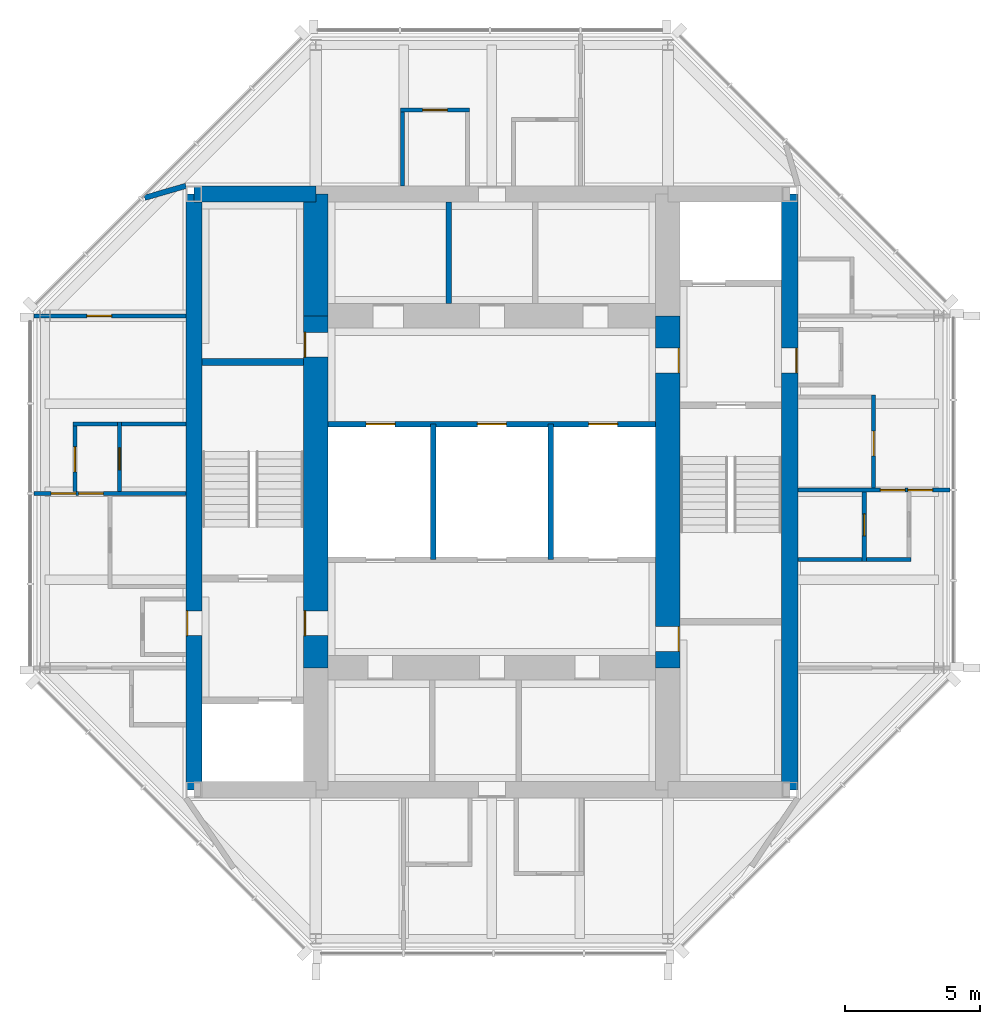
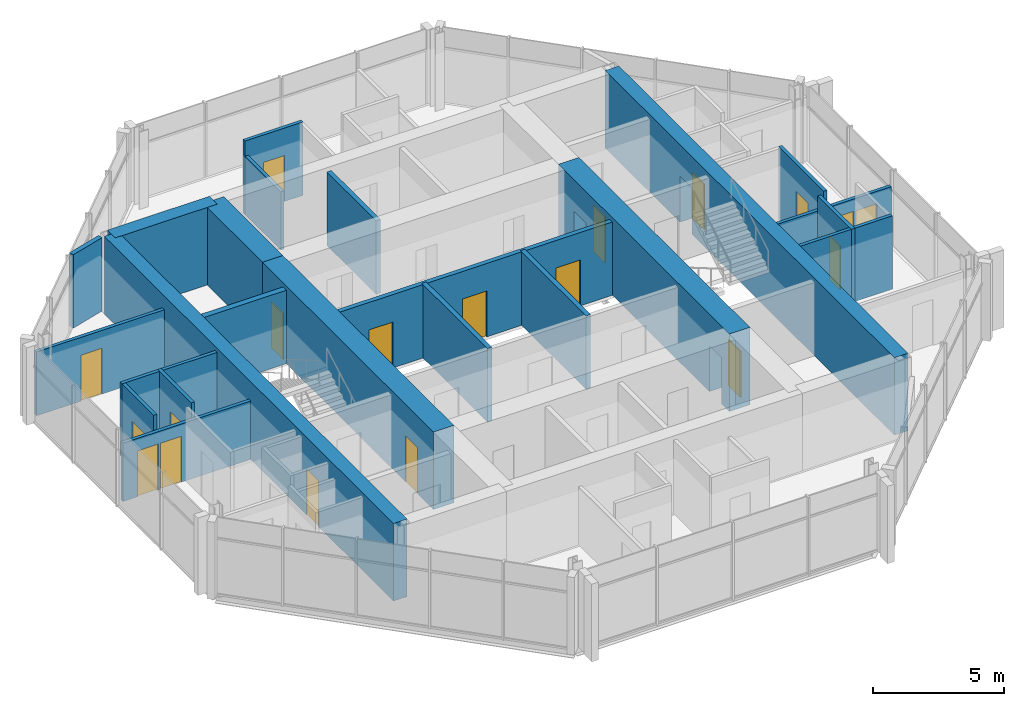
# One storey, part 6 of 9: 25 walls, 19 doors, 19 openings.
"""IFC4 building model written with IfcOpenShell, lengths in metres."""

from ifc_helpers import new_model, si_unit, direction, frame, frame_2d, origin, place, context, subcontext, project, spatial, rectangle, extrude, material, layer, layer_set, type_object, element, fill, save


model = new_model("IFC4")

# Units and contexts
model_context = context("Model", 3, precision=1e-05, world=origin(), true_north=direction((0.0, 1.0)))
body_context = subcontext(model_context, "Body", "Model", "MODEL_VIEW")
ifc_project = project(units=[si_unit("LENGTHUNIT", "METRE"), si_unit("AREAUNIT", "SQUARE_METRE"), si_unit("VOLUMEUNIT", "CUBIC_METRE"), si_unit("PLANEANGLEUNIT", "RADIAN"), si_unit("MASSUNIT", "GRAM", prefix="KILO")], contexts=[model_context])

# Site, building, storey
site_placement = place(None, origin())
site = spatial("IfcSite", under=ifc_project, at=site_placement, CompositionType="ELEMENT")
building_placement = place(site_placement, origin())
building = spatial("IfcBuilding", under=site, at=building_placement, Name="Trevanion Tower", CompositionType="ELEMENT")
storey_placement = place(building_placement, frame((0.0, 0.0, 284.800048828125)))
storey = spatial("IfcBuildingStorey", under=building, at=storey_placement, Name="L70", CompositionType="ELEMENT", Elevation=284.800048828125)

# Wall, opening, door
ifc_material_1 = material(Name="Concrete 10,000 psi", Category="concrete")
ifc_layer_1 = layer(ifc_material_1, 0.60009765625)
ifc_layer_set_1 = layer_set([ifc_layer_1], Name="CW1 core wall 600")
wall_type_1 = type_object("IfcWallType", Name="CW1 core wall 600", PredefinedType="SHEAR", material=ifc_layer_set_1)
wall_1_placement = place(storey_placement, frame((11.0, -11.0, 0.0), z_axis=(0.0, 0.0, 1.0), x_axis=(0.0, 1.0, 0.0)))
wall_1 = element("IfcWall", 1, at=wall_1_placement, inside=storey, type_object=wall_type_1, Name="CW1 CE L70", PredefinedType="SHEAR", context=body_context, shape_type="SweptSolid", body=[
    extrude(rectangle(XDim=22.0, YDim=0.60009765625, at=frame_2d((11.0, 0.0))), origin(), (0.0, 0.0, 1.0), 3.599853515625),
])
opening_1_placement = place(wall_1_placement, frame((15.392578125, 0.0, 0.0)))
opening_1 = element("IfcOpeningElement", 2, at=opening_1_placement, cuts=wall_1, Name="Opening 70-001", PredefinedType="OPENING", context=body_context, shape_type="SweptSolid", body=[
    extrude(rectangle(XDim=0.9150390625, YDim=2.134033203125, at=frame_2d((0.45751953125, 1.06689453125))), frame((0.0, 0.31005859375, 0.0), z_axis=(0.0, -1.0, 0.0), x_axis=(1.0, 0.0, 0.0)), (0.0, 0.0, 1.0), 0.6201171875),
])
ifc_material_2 = material(Name="Hollow metal, fire rated", Category="steel")
door_type_1 = type_object("IfcDoorType", Name="D3 fire lift lobby door", OperationType="SINGLE_SWING_RIGHT", PredefinedType="DOOR", material=ifc_material_2)
door_1_placement = place(opening_1_placement, origin())
door_1 = element("IfcDoor", 3, at=door_1_placement, inside=storey, type_object=door_type_1, Name="Door 70-001", OperationType="SINGLE_SWING_RIGHT", OverallHeight=2.134033203125, OverallWidth=0.9150390625, PredefinedType="DOOR", context=body_context, shape_type="SweptSolid", body=[
    extrude(rectangle(XDim=0.9150390625, YDim=2.134033203125, at=frame_2d((0.45751953125, 1.06689453125))), frame((0.0, -0.22509765625, 0.0), z_axis=(0.0, -1.0, 0.0), x_axis=(1.0, 0.0, 0.0)), (0.0, 0.0, 1.0), 0.050048828125),
])
fill(opening_1, door_1)

wall_2_placement = place(storey_placement, frame((-11.0, 11.0, 0.0), z_axis=(0.0, 0.0, 1.0), x_axis=(0.0, -1.0, 0.0)))
wall_2 = element("IfcWall", 4, at=wall_2_placement, inside=storey, type_object=wall_type_1, Name="CW1 CW L70", PredefinedType="SHEAR", context=body_context, shape_type="SweptSolid", body=[
    extrude(rectangle(XDim=22.0, YDim=0.60009765625, at=frame_2d((11.0, 0.0))), origin(), (0.0, 0.0, 1.0), 3.599853515625),
])
opening_2_placement = place(wall_2_placement, frame((15.392578125, 0.0, 0.0)))
opening_2 = element("IfcOpeningElement", 5, at=opening_2_placement, cuts=wall_2, Name="Opening 70-002", PredefinedType="OPENING", context=body_context, shape_type="SweptSolid", body=[
    extrude(rectangle(XDim=0.9150390625, YDim=2.134033203125, at=frame_2d((0.45751953125, 1.06689453125))), frame((0.0, 0.31005859375, 0.0), z_axis=(0.0, -1.0, 0.0), x_axis=(1.0, 0.0, 0.0)), (0.0, 0.0, 1.0), 0.6201171875),
])
door_2_placement = place(opening_2_placement, origin())
door_2 = element("IfcDoor", 6, at=door_2_placement, inside=storey, type_object=door_type_1, Name="Door 70-002", OperationType="SINGLE_SWING_RIGHT", OverallHeight=2.134033203125, OverallWidth=0.9150390625, PredefinedType="DOOR", context=body_context, shape_type="SweptSolid", body=[
    extrude(rectangle(XDim=0.9150390625, YDim=2.134033203125, at=frame_2d((0.45751953125, 1.06689453125))), frame((0.0, -0.22509765625, 0.0), z_axis=(0.0, -1.0, 0.0), x_axis=(1.0, 0.0, 0.0)), (0.0, 0.0, 1.0), 0.050048828125),
])
fill(opening_2, door_2)

# Wall
wall_3_placement = place(storey_placement, frame((-6.5, 11.0, 0.0), z_axis=(0.0, 0.0, 1.0), x_axis=(-1.0, 0.0, 0.0)))
element("IfcWall", 7, at=wall_3_placement, inside=storey, type_object=wall_type_1, Name="CW1 CN3 L70", PredefinedType="SHEAR", context=body_context, shape_type="SweptSolid", body=[
    extrude(rectangle(XDim=4.5, YDim=0.60009765625, at=frame_2d((2.25, 0.0))), origin(), (0.0, 0.0, 1.0), 3.599853515625),
])

# Wall, openings, doors
ifc_material_3 = material(Name="Concrete 10,000 psi", Category="concrete")
ifc_layer_2 = layer(ifc_material_3, 0.89990234375)
ifc_layer_set_2 = layer_set([ifc_layer_2], Name="CW2 core wall 900")
wall_type_2 = type_object("IfcWallType", Name="CW2 core wall 900", PredefinedType="SHEAR", material=ifc_layer_set_2)
wall_4_placement = place(storey_placement, frame((6.5, -6.5, 0.0), z_axis=(0.0, 0.0, 1.0), x_axis=(0.0, 1.0, 0.0)))
wall_4 = element("IfcWall", 8, at=wall_4_placement, inside=storey, type_object=wall_type_2, Name="CW2 RE2 L70", PredefinedType="SHEAR", context=body_context, shape_type="SweptSolid", body=[
    extrude(rectangle(XDim=13.0, YDim=0.89990234375, at=frame_2d((6.5, 0.0))), origin(), (0.0, 0.0, 1.0), 3.599853515625),
])
opening_3_placement = place(wall_4_placement, frame((10.892578125, 0.0, 0.0)))
opening_3 = element("IfcOpeningElement", 9, at=opening_3_placement, cuts=wall_4, Name="Opening 70-003", PredefinedType="OPENING", context=body_context, shape_type="SweptSolid", body=[
    extrude(rectangle(XDim=0.9150390625, YDim=2.134033203125, at=frame_2d((0.45751953125, 1.06689453125))), frame((0.0, 0.4599609375, 0.0), z_axis=(0.0, -1.0, 0.0), x_axis=(1.0, 0.0, 0.0)), (0.0, 0.0, 1.0), 0.919921875),
])
opening_4_placement = place(wall_4_placement, frame((0.610107421875, 0.0, 0.0)))
opening_4 = element("IfcOpeningElement", 10, at=opening_4_placement, cuts=wall_4, Name="Opening 70-009", PredefinedType="OPENING", context=body_context, shape_type="SweptSolid", body=[
    extrude(rectangle(XDim=0.9150390625, YDim=2.134033203125, at=frame_2d((0.45751953125, 1.06689453125))), frame((0.0, 0.4599609375, 0.0), z_axis=(0.0, -1.0, 0.0), x_axis=(1.0, 0.0, 0.0)), (0.0, 0.0, 1.0), 0.919921875),
])
door_3_placement = place(opening_3_placement, origin())
door_3 = element("IfcDoor", 11, at=door_3_placement, inside=storey, type_object=door_type_1, Name="Door 70-003", OperationType="SINGLE_SWING_RIGHT", OverallHeight=2.134033203125, OverallWidth=0.9150390625, PredefinedType="DOOR", context=body_context, shape_type="SweptSolid", body=[
    extrude(rectangle(XDim=0.9150390625, YDim=2.134033203125, at=frame_2d((0.45751953125, 1.06689453125))), frame((0.0, -0.375, 0.0), z_axis=(0.0, -1.0, 0.0), x_axis=(1.0, 0.0, 0.0)), (0.0, 0.0, 1.0), 0.050048828125),
])
fill(opening_3, door_3)
ifc_material_4 = material(Name="Hollow metal, fire rated", Category="steel")
door_type_2 = type_object("IfcDoorType", Name="D5 service room door", OperationType="SINGLE_SWING_RIGHT", PredefinedType="DOOR", material=ifc_material_4)
door_4_placement = place(opening_4_placement, origin())
door_4 = element("IfcDoor", 12, at=door_4_placement, inside=storey, type_object=door_type_2, Name="Door 70-009", OperationType="SINGLE_SWING_RIGHT", OverallHeight=2.134033203125, OverallWidth=0.9150390625, PredefinedType="DOOR", context=body_context, shape_type="SweptSolid", body=[
    extrude(rectangle(XDim=0.9150390625, YDim=2.134033203125, at=frame_2d((0.45751953125, 1.06689453125))), frame((0.0, -0.375, 0.0), z_axis=(0.0, -1.0, 0.0), x_axis=(1.0, 0.0, 0.0)), (0.0, 0.0, 1.0), 0.050048828125),
])
fill(opening_4, door_4)

# Wall
wall_5_placement = place(storey_placement, frame((-6.5, 11.0, 0.0), z_axis=(0.0, 0.0, 1.0), x_axis=(0.0, -1.0, 0.0)))
element("IfcWall", 13, at=wall_5_placement, inside=storey, type_object=wall_type_2, Name="CW2 RW1 L70", PredefinedType="SHEAR", context=body_context, shape_type="SweptSolid", body=[
    extrude(rectangle(XDim=4.5, YDim=0.89990234375, at=frame_2d((2.25, 0.0))), origin(), (0.0, 0.0, 1.0), 3.599853515625),
])

# Wall, openings, doors
wall_6_placement = place(storey_placement, frame((-6.5, 6.5, 0.0), z_axis=(0.0, 0.0, 1.0), x_axis=(0.0, -1.0, 0.0)))
wall_6 = element("IfcWall", 14, at=wall_6_placement, inside=storey, type_object=wall_type_2, Name="CW2 RW2 L70", PredefinedType="SHEAR", context=body_context, shape_type="SweptSolid", body=[
    extrude(rectangle(XDim=13.0, YDim=0.89990234375, at=frame_2d((6.5, 0.0))), origin(), (0.0, 0.0, 1.0), 3.599853515625),
])
opening_5_placement = place(wall_6_placement, frame((10.892578125, 0.0, 0.0)))
opening_5 = element("IfcOpeningElement", 15, at=opening_5_placement, cuts=wall_6, Name="Opening 70-004", PredefinedType="OPENING", context=body_context, shape_type="SweptSolid", body=[
    extrude(rectangle(XDim=0.9150390625, YDim=2.134033203125, at=frame_2d((0.45751953125, 1.06689453125))), frame((0.0, 0.4599609375, 0.0), z_axis=(0.0, -1.0, 0.0), x_axis=(1.0, 0.0, 0.0)), (0.0, 0.0, 1.0), 0.919921875),
])
opening_6_placement = place(wall_6_placement, frame((0.610107421875, 0.0, 0.0)))
opening_6 = element("IfcOpeningElement", 16, at=opening_6_placement, cuts=wall_6, Name="Opening 70-010", PredefinedType="OPENING", context=body_context, shape_type="SweptSolid", body=[
    extrude(rectangle(XDim=0.9150390625, YDim=2.134033203125, at=frame_2d((0.45751953125, 1.06689453125))), frame((0.0, 0.4599609375, 0.0), z_axis=(0.0, -1.0, 0.0), x_axis=(1.0, 0.0, 0.0)), (0.0, 0.0, 1.0), 0.919921875),
])
door_5_placement = place(opening_5_placement, origin())
door_5 = element("IfcDoor", 17, at=door_5_placement, inside=storey, type_object=door_type_1, Name="Door 70-004", OperationType="SINGLE_SWING_RIGHT", OverallHeight=2.134033203125, OverallWidth=0.9150390625, PredefinedType="DOOR", context=body_context, shape_type="SweptSolid", body=[
    extrude(rectangle(XDim=0.9150390625, YDim=2.134033203125, at=frame_2d((0.45751953125, 1.06689453125))), frame((0.0, -0.375, 0.0), z_axis=(0.0, -1.0, 0.0), x_axis=(1.0, 0.0, 0.0)), (0.0, 0.0, 1.0), 0.050048828125),
])
fill(opening_5, door_5)
door_6_placement = place(opening_6_placement, origin())
door_6 = element("IfcDoor", 18, at=door_6_placement, inside=storey, type_object=door_type_2, Name="Door 70-010", OperationType="SINGLE_SWING_RIGHT", OverallHeight=2.134033203125, OverallWidth=0.9150390625, PredefinedType="DOOR", context=body_context, shape_type="SweptSolid", body=[
    extrude(rectangle(XDim=0.9150390625, YDim=2.134033203125, at=frame_2d((0.45751953125, 1.06689453125))), frame((0.0, -0.375, 0.0), z_axis=(0.0, -1.0, 0.0), x_axis=(1.0, 0.0, 0.0)), (0.0, 0.0, 1.0), 0.050048828125),
])
fill(opening_6, door_6)

ifc_material_5 = material(Name="Gypsum board on steel studs", Category="steel")
ifc_layer_3 = layer(ifc_material_5, 0.14990234375)
ifc_layer_set_3 = layer_set([ifc_layer_3], Name="PT1 partition 150")
wall_type_3 = type_object("IfcWallType", Name="PT1 partition 150", PredefinedType="PARTITIONING", material=ifc_layer_set_3)
wall_7_placement = place(storey_placement, frame((11.300048828125, 0.06494140625, 0.0), z_axis=(0.0, 0.0, 1.0), x_axis=(1.0, 0.0, 0.0)))
wall_7 = element("IfcWall", 19, at=wall_7_placement, inside=storey, type_object=wall_type_3, Name="PT1 L70 REC1", PredefinedType="PARTITIONING", context=body_context, shape_type="SweptSolid", body=[
    extrude(rectangle(XDim=5.614990234375, YDim=0.14990234375, at=frame_2d((2.8076171875, 0.0))), origin(), (0.0, 0.0, 1.0), 2.708984375),
])
opening_7_placement = place(wall_7_placement, frame((3.04248046875, 0.0, 0.0)))
opening_7 = element("IfcOpeningElement", 20, at=opening_7_placement, cuts=wall_7, Name="Opening 70-029", PredefinedType="OPENING", context=body_context, shape_type="SweptSolid", body=[
    extrude(rectangle(XDim=0.9150390625, YDim=2.134033203125, at=frame_2d((0.45751953125, 1.06689453125))), frame((0.0, 0.0849609375, 0.0), z_axis=(0.0, -1.0, 0.0), x_axis=(1.0, 0.0, 0.0)), (0.0, 0.0, 1.0), 0.169921875),
])
opening_8_placement = place(wall_7_placement, frame((4.0576171875, 0.0, 0.0)))
opening_8 = element("IfcOpeningElement", 21, at=opening_8_placement, cuts=wall_7, Name="Opening 70-032", PredefinedType="OPENING", context=body_context, shape_type="SweptSolid", body=[
    extrude(rectangle(XDim=0.9150390625, YDim=2.134033203125, at=frame_2d((0.45751953125, 1.06689453125))), frame((0.0, 0.0849609375, 0.0), z_axis=(0.0, -1.0, 0.0), x_axis=(1.0, 0.0, 0.0)), (0.0, 0.0, 1.0), 0.169921875),
])
ifc_material_6 = material(Name="Timber veneer, solid core", Category="wood")
door_type_3 = type_object("IfcDoorType", Name="D1 office and meeting room door", OperationType="SINGLE_SWING_LEFT", PredefinedType="DOOR", material=ifc_material_6)
door_7_placement = place(opening_7_placement, origin())
door_7 = element("IfcDoor", 22, at=door_7_placement, inside=storey, type_object=door_type_3, Name="Door 70-029", OperationType="SINGLE_SWING_LEFT", OverallHeight=2.134033203125, OverallWidth=0.9150390625, PredefinedType="DOOR", context=body_context, shape_type="SweptSolid", body=[
    extrude(rectangle(XDim=0.9150390625, YDim=2.134033203125, at=frame_2d((0.45751953125, 1.06689453125))), frame((0.0, 0.02490234375, 0.0), z_axis=(0.0, -1.0, 0.0), x_axis=(1.0, 0.0, 0.0)), (0.0, 0.0, 1.0), 0.050048828125),
])
fill(opening_7, door_7)
door_8_placement = place(opening_8_placement, origin())
door_8 = element("IfcDoor", 23, at=door_8_placement, inside=storey, type_object=door_type_3, Name="Door 70-032", OperationType="SINGLE_SWING_LEFT", OverallHeight=2.134033203125, OverallWidth=0.9150390625, PredefinedType="DOOR", context=body_context, shape_type="SweptSolid", body=[
    extrude(rectangle(XDim=0.9150390625, YDim=2.134033203125, at=frame_2d((0.45751953125, 1.06689453125))), frame((0.0, 0.02490234375, 0.0), z_axis=(0.0, -1.0, 0.0), x_axis=(1.0, 0.0, 0.0)), (0.0, 0.0, 1.0), 0.050048828125),
])
fill(opening_8, door_8)

# Wall, opening, door
wall_8_placement = place(storey_placement, frame((14.10009765625, 0.139892578125, 0.0), z_axis=(0.0, 0.0, 1.0), x_axis=(0.0, 1.0, 0.0)))
wall_8 = element("IfcWall", 24, at=wall_8_placement, inside=storey, type_object=wall_type_3, Name="PT1 L70 REKF", PredefinedType="PARTITIONING", context=body_context, shape_type="SweptSolid", body=[
    extrude(rectangle(XDim=3.43505859375, YDim=0.14990234375, at=frame_2d((1.717529296875, 0.0))), origin(), (0.0, 0.0, 1.0), 3.409912109375),
])
opening_9_placement = place(wall_8_placement, frame((1.18505859375, 0.0, 0.0)))
opening_9 = element("IfcOpeningElement", 25, at=opening_9_placement, cuts=wall_8, Name="Opening 70-026", PredefinedType="OPENING", context=body_context, shape_type="SweptSolid", body=[
    extrude(rectangle(XDim=0.9150390625, YDim=2.134033203125, at=frame_2d((0.45751953125, 1.06689453125))), frame((0.0, 0.0849609375, 0.0), z_axis=(0.0, -1.0, 0.0), x_axis=(1.0, 0.0, 0.0)), (0.0, 0.0, 1.0), 0.169921875),
])
door_9_placement = place(opening_9_placement, origin())
door_9 = element("IfcDoor", 26, at=door_9_placement, inside=storey, type_object=door_type_3, Name="Door 70-026", OperationType="SINGLE_SWING_LEFT", OverallHeight=2.134033203125, OverallWidth=0.9150390625, PredefinedType="DOOR", context=body_context, shape_type="SweptSolid", body=[
    extrude(rectangle(XDim=0.9150390625, YDim=2.134033203125, at=frame_2d((0.45751953125, 1.06689453125))), frame((0.0, 0.02490234375, 0.0), z_axis=(0.0, -1.0, 0.0), x_axis=(1.0, 0.0, 0.0)), (0.0, 0.0, 1.0), 0.050048828125),
])
fill(opening_9, door_9)

wall_9_placement = place(storey_placement, frame((13.75, -2.574951171875, 0.0), z_axis=(0.0, 0.0, 1.0), x_axis=(0.0, 1.0, 0.0)))
wall_9 = element("IfcWall", 27, at=wall_9_placement, inside=storey, type_object=wall_type_3, Name="PT1 L70 RETF", PredefinedType="PARTITIONING", context=body_context, shape_type="SweptSolid", body=[
    extrude(rectangle(XDim=2.56494140625, YDim=0.14990234375, at=frame_2d((1.282470703125, 0.0))), origin(), (0.0, 0.0, 1.0), 3.409912109375),
])
opening_10_placement = place(wall_9_placement, frame((0.950927734375, 0.0, 0.0)))
opening_10 = element("IfcOpeningElement", 28, at=opening_10_placement, cuts=wall_9, Name="Opening 70-028", PredefinedType="OPENING", context=body_context, shape_type="SweptSolid", body=[
    extrude(rectangle(XDim=0.81298828125, YDim=2.031982421875, at=frame_2d((0.406494140625, 1.01611328125))), frame((0.0, 0.0849609375, 0.0), z_axis=(0.0, -1.0, 0.0), x_axis=(1.0, 0.0, 0.0)), (0.0, 0.0, 1.0), 0.169921875),
])
ifc_material_7 = material(Name="Timber veneer", Category="wood")
door_type_4 = type_object("IfcDoorType", Name="D14 residence bathroom door", OperationType="SINGLE_SWING_LEFT", PredefinedType="DOOR", material=ifc_material_7)
door_10_placement = place(opening_10_placement, origin())
door_10 = element("IfcDoor", 29, at=door_10_placement, inside=storey, type_object=door_type_4, Name="Door 70-028", OperationType="SINGLE_SWING_LEFT", OverallHeight=2.031982421875, OverallWidth=0.81298828125, PredefinedType="DOOR", context=body_context, shape_type="SweptSolid", body=[
    extrude(rectangle(XDim=0.81298828125, YDim=2.031982421875, at=frame_2d((0.406494140625, 1.01611328125))), frame((0.0, 0.02490234375, 0.0), z_axis=(0.0, -1.0, 0.0), x_axis=(1.0, 0.0, 0.0)), (0.0, 0.0, 1.0), 0.050048828125),
])
fill(opening_10, door_10)

# Walls
wall_10_placement = place(storey_placement, frame((11.300048828125, -2.5, 0.0), z_axis=(0.0, 0.0, 1.0), x_axis=(1.0, 0.0, 0.0)))
element("IfcWall", 30, at=wall_10_placement, inside=storey, type_object=wall_type_3, Name="PT1 L70 RETA", PredefinedType="PARTITIONING", context=body_context, shape_type="SweptSolid", body=[
    extrude(rectangle(XDim=2.375, YDim=0.14990234375, at=frame_2d((1.1875, 0.0))), origin(), (0.0, 0.0, 1.0), 3.409912109375),
])
wall_11_placement = place(storey_placement, frame((13.824951171875, -2.5, 0.0), z_axis=(0.0, 0.0, 1.0), x_axis=(1.0, 0.0, 0.0)))
element("IfcWall", 31, at=wall_11_placement, inside=storey, type_object=wall_type_3, Name="PT1 L70 REHY", PredefinedType="PARTITIONING", context=body_context, shape_type="SweptSolid", body=[
    extrude(rectangle(XDim=1.650146484375, YDim=0.14990234375, at=frame_2d((0.8251953125, 0.0))), origin(), (0.0, 0.0, 1.0), 3.409912109375),
])

# Wall, opening, door
wall_12_placement = place(storey_placement, frame((-0.824951171875, 14.10009765625, 0.0), z_axis=(0.0, 0.0, 1.0), x_axis=(-1.0, 0.0, 0.0)))
wall_12 = element("IfcWall", 32, at=wall_12_placement, inside=storey, type_object=wall_type_3, Name="PT1 L70 RNKF", PredefinedType="PARTITIONING", context=body_context, shape_type="SweptSolid", body=[
    extrude(rectangle(XDim=2.550048828125, YDim=0.14990234375, at=frame_2d((1.27490234375, 0.0))), origin(), (0.0, 0.0, 1.0), 3.409912109375),
])
opening_11_placement = place(wall_12_placement, frame((0.8173828125, 0.0, 0.0)))
opening_11 = element("IfcOpeningElement", 33, at=opening_11_placement, cuts=wall_12, Name="Opening 70-034", PredefinedType="OPENING", context=body_context, shape_type="SweptSolid", body=[
    extrude(rectangle(XDim=0.9150390625, YDim=2.134033203125, at=frame_2d((0.45751953125, 1.06689453125))), frame((0.0, 0.0849609375, 0.0), z_axis=(0.0, -1.0, 0.0), x_axis=(1.0, 0.0, 0.0)), (0.0, 0.0, 1.0), 0.169921875),
])
door_11_placement = place(opening_11_placement, origin())
door_11 = element("IfcDoor", 34, at=door_11_placement, inside=storey, type_object=door_type_3, Name="Door 70-034", OperationType="SINGLE_SWING_LEFT", OverallHeight=2.134033203125, OverallWidth=0.9150390625, PredefinedType="DOOR", context=body_context, shape_type="SweptSolid", body=[
    extrude(rectangle(XDim=0.9150390625, YDim=2.134033203125, at=frame_2d((0.45751953125, 1.06689453125))), frame((0.0, 0.02490234375, 0.0), z_axis=(0.0, -1.0, 0.0), x_axis=(1.0, 0.0, 0.0)), (0.0, 0.0, 1.0), 0.050048828125),
])
fill(opening_11, door_11)

# Wall
wall_13_placement = place(storey_placement, frame((-3.300048828125, 11.300048828125, 0.0), z_axis=(0.0, 0.0, 1.0), x_axis=(0.0, 1.0, 0.0)))
element("IfcWall", 35, at=wall_13_placement, inside=storey, type_object=wall_type_3, Name="PT1 L70 RNKB", PredefinedType="PARTITIONING", context=body_context, shape_type="SweptSolid", body=[
    extrude(rectangle(XDim=2.724853515625, YDim=0.14990234375, at=frame_2d((1.3623046875, 0.0))), origin(), (0.0, 0.0, 1.0), 2.708984375),
])

# Wall, opening, door
wall_14_placement = place(storey_placement, frame((-11.300048828125, 6.5, 0.0), z_axis=(0.0, 0.0, 1.0), x_axis=(-1.0, 0.0, 0.0)))
wall_14 = element("IfcWall", 36, at=wall_14_placement, inside=storey, type_object=wall_type_3, Name="PT1 L70 RWC0", PredefinedType="PARTITIONING", context=body_context, shape_type="SweptSolid", body=[
    extrude(rectangle(XDim=5.614990234375, YDim=0.14990234375, at=frame_2d((2.8076171875, 0.0))), origin(), (0.0, 0.0, 1.0), 2.965576171875),
])
opening_12_placement = place(wall_14_placement, frame((2.742431640625, 0.0, 0.0)))
opening_12 = element("IfcOpeningElement", 37, at=opening_12_placement, cuts=wall_14, Name="Opening 70-043", PredefinedType="OPENING", context=body_context, shape_type="SweptSolid", body=[
    extrude(rectangle(XDim=0.9150390625, YDim=2.134033203125, at=frame_2d((0.45751953125, 1.06689453125))), frame((0.0, 0.0849609375, 0.0), z_axis=(0.0, -1.0, 0.0), x_axis=(1.0, 0.0, 0.0)), (0.0, 0.0, 1.0), 0.169921875),
])
door_12_placement = place(opening_12_placement, origin())
door_12 = element("IfcDoor", 38, at=door_12_placement, inside=storey, type_object=door_type_3, Name="Door 70-043", OperationType="SINGLE_SWING_LEFT", OverallHeight=2.134033203125, OverallWidth=0.9150390625, PredefinedType="DOOR", context=body_context, shape_type="SweptSolid", body=[
    extrude(rectangle(XDim=0.9150390625, YDim=2.134033203125, at=frame_2d((0.45751953125, 1.06689453125))), frame((0.0, 0.02490234375, 0.0), z_axis=(0.0, -1.0, 0.0), x_axis=(1.0, 0.0, 0.0)), (0.0, 0.0, 1.0), 0.050048828125),
])
fill(opening_12, door_12)

# Wall, openings, doors
wall_15_placement = place(storey_placement, frame((-11.300048828125, -0.06494140625, 0.0), z_axis=(0.0, 0.0, 1.0), x_axis=(-1.0, 0.0, 0.0)))
wall_15 = element("IfcWall", 39, at=wall_15_placement, inside=storey, type_object=wall_type_3, Name="PT1 L70 RWC1", PredefinedType="PARTITIONING", context=body_context, shape_type="SweptSolid", body=[
    extrude(rectangle(XDim=5.614990234375, YDim=0.14990234375, at=frame_2d((2.8076171875, 0.0))), origin(), (0.0, 0.0, 1.0), 2.708984375),
])
opening_13_placement = place(wall_15_placement, frame((3.04248046875, 0.0, 0.0)))
opening_13 = element("IfcOpeningElement", 40, at=opening_13_placement, cuts=wall_15, Name="Opening 70-041", PredefinedType="OPENING", context=body_context, shape_type="SweptSolid", body=[
    extrude(rectangle(XDim=0.9150390625, YDim=2.134033203125, at=frame_2d((0.45751953125, 1.06689453125))), frame((0.0, 0.0849609375, 0.0), z_axis=(0.0, -1.0, 0.0), x_axis=(1.0, 0.0, 0.0)), (0.0, 0.0, 1.0), 0.169921875),
])
opening_14_placement = place(wall_15_placement, frame((4.0576171875, 0.0, 0.0)))
opening_14 = element("IfcOpeningElement", 41, at=opening_14_placement, cuts=wall_15, Name="Opening 70-044", PredefinedType="OPENING", context=body_context, shape_type="SweptSolid", body=[
    extrude(rectangle(XDim=0.9150390625, YDim=2.134033203125, at=frame_2d((0.45751953125, 1.06689453125))), frame((0.0, 0.0849609375, 0.0), z_axis=(0.0, -1.0, 0.0), x_axis=(1.0, 0.0, 0.0)), (0.0, 0.0, 1.0), 0.169921875),
])
door_13_placement = place(opening_13_placement, origin())
door_13 = element("IfcDoor", 42, at=door_13_placement, inside=storey, type_object=door_type_3, Name="Door 70-041", OperationType="SINGLE_SWING_LEFT", OverallHeight=2.134033203125, OverallWidth=0.9150390625, PredefinedType="DOOR", context=body_context, shape_type="SweptSolid", body=[
    extrude(rectangle(XDim=0.9150390625, YDim=2.134033203125, at=frame_2d((0.45751953125, 1.06689453125))), frame((0.0, 0.02490234375, 0.0), z_axis=(0.0, -1.0, 0.0), x_axis=(1.0, 0.0, 0.0)), (0.0, 0.0, 1.0), 0.050048828125),
])
fill(opening_13, door_13)
door_14_placement = place(opening_14_placement, origin())
door_14 = element("IfcDoor", 43, at=door_14_placement, inside=storey, type_object=door_type_3, Name="Door 70-044", OperationType="SINGLE_SWING_LEFT", OverallHeight=2.134033203125, OverallWidth=0.9150390625, PredefinedType="DOOR", context=body_context, shape_type="SweptSolid", body=[
    extrude(rectangle(XDim=0.9150390625, YDim=2.134033203125, at=frame_2d((0.45751953125, 1.06689453125))), frame((0.0, 0.02490234375, 0.0), z_axis=(0.0, -1.0, 0.0), x_axis=(1.0, 0.0, 0.0)), (0.0, 0.0, 1.0), 0.050048828125),
])
fill(opening_14, door_14)

# Wall, opening, door
wall_16_placement = place(storey_placement, frame((-13.75, 2.574951171875, 0.0), z_axis=(0.0, 0.0, 1.0), x_axis=(0.0, -1.0, 0.0)))
wall_16 = element("IfcWall", 44, at=wall_16_placement, inside=storey, type_object=wall_type_3, Name="PT1 L70 RWTF", PredefinedType="PARTITIONING", context=body_context, shape_type="SweptSolid", body=[
    extrude(rectangle(XDim=2.56494140625, YDim=0.14990234375, at=frame_2d((1.282470703125, 0.0))), origin(), (0.0, 0.0, 1.0), 3.409912109375),
])
opening_15_placement = place(wall_16_placement, frame((0.950927734375, 0.0, 0.0)))
opening_15 = element("IfcOpeningElement", 45, at=opening_15_placement, cuts=wall_16, Name="Opening 70-040", PredefinedType="OPENING", context=body_context, shape_type="SweptSolid", body=[
    extrude(rectangle(XDim=0.81298828125, YDim=2.031982421875, at=frame_2d((0.406494140625, 1.01611328125))), frame((0.0, 0.0849609375, 0.0), z_axis=(0.0, -1.0, 0.0), x_axis=(1.0, 0.0, 0.0)), (0.0, 0.0, 1.0), 0.169921875),
])
door_15_placement = place(opening_15_placement, origin())
door_15 = element("IfcDoor", 46, at=door_15_placement, inside=storey, type_object=door_type_4, Name="Door 70-040", OperationType="SINGLE_SWING_LEFT", OverallHeight=2.031982421875, OverallWidth=0.81298828125, PredefinedType="DOOR", context=body_context, shape_type="SweptSolid", body=[
    extrude(rectangle(XDim=0.81298828125, YDim=2.031982421875, at=frame_2d((0.406494140625, 1.01611328125))), frame((0.0, 0.02490234375, 0.0), z_axis=(0.0, -1.0, 0.0), x_axis=(1.0, 0.0, 0.0)), (0.0, 0.0, 1.0), 0.050048828125),
])
fill(opening_15, door_15)

# Wall
wall_17_placement = place(storey_placement, frame((-11.300048828125, 2.5, 0.0), z_axis=(0.0, 0.0, 1.0), x_axis=(-1.0, 0.0, 0.0)))
element("IfcWall", 47, at=wall_17_placement, inside=storey, type_object=wall_type_3, Name="PT1 L70 RWTA", PredefinedType="PARTITIONING", context=body_context, shape_type="SweptSolid", body=[
    extrude(rectangle(XDim=2.375, YDim=0.14990234375, at=frame_2d((1.1875, 0.0))), origin(), (0.0, 0.0, 1.0), 3.409912109375),
])

# Wall, opening, door
wall_18_placement = place(storey_placement, frame((-15.39990234375, 0.010009765625, 0.0), z_axis=(0.0, 0.0, 1.0), x_axis=(0.0, 1.0, 0.0)))
wall_18 = element("IfcWall", 48, at=wall_18_placement, inside=storey, type_object=wall_type_3, Name="PT1 L70 RWHX", PredefinedType="PARTITIONING", context=body_context, shape_type="SweptSolid", body=[
    extrude(rectangle(XDim=2.56494140625, YDim=0.14990234375, at=frame_2d((1.282470703125, 0.0))), origin(), (0.0, 0.0, 1.0), 3.409912109375),
])
opening_16_placement = place(wall_18_placement, frame((0.732421875, 0.0, 0.0)))
opening_16 = element("IfcOpeningElement", 49, at=opening_16_placement, cuts=wall_18, Name="Opening 70-042", PredefinedType="OPENING", context=body_context, shape_type="SweptSolid", body=[
    extrude(rectangle(XDim=0.9150390625, YDim=2.134033203125, at=frame_2d((0.45751953125, 1.06689453125))), frame((0.0, 0.0849609375, 0.0), z_axis=(0.0, -1.0, 0.0), x_axis=(1.0, 0.0, 0.0)), (0.0, 0.0, 1.0), 0.169921875),
])
door_16_placement = place(opening_16_placement, origin())
door_16 = element("IfcDoor", 50, at=door_16_placement, inside=storey, type_object=door_type_3, Name="Door 70-042", OperationType="SINGLE_SWING_LEFT", OverallHeight=2.134033203125, OverallWidth=0.9150390625, PredefinedType="DOOR", context=body_context, shape_type="SweptSolid", body=[
    extrude(rectangle(XDim=0.9150390625, YDim=2.134033203125, at=frame_2d((0.45751953125, 1.06689453125))), frame((0.0, 0.02490234375, 0.0), z_axis=(0.0, -1.0, 0.0), x_axis=(1.0, 0.0, 0.0)), (0.0, 0.0, 1.0), 0.050048828125),
])
fill(opening_16, door_16)

# Wall
wall_19_placement = place(storey_placement, frame((-13.824951171875, 2.5, 0.0), z_axis=(0.0, 0.0, 1.0), x_axis=(-1.0, 0.0, 0.0)))
element("IfcWall", 51, at=wall_19_placement, inside=storey, type_object=wall_type_3, Name="PT1 L70 RWHY", PredefinedType="PARTITIONING", context=body_context, shape_type="SweptSolid", body=[
    extrude(rectangle(XDim=1.650146484375, YDim=0.14990234375, at=frame_2d((0.8251953125, 0.0))), origin(), (0.0, 0.0, 1.0), 3.409912109375),
])

# Wall, openings, doors
ifc_material_8 = material(Name="Concrete masonry, grouted", Category="masonry")
ifc_layer_4 = layer(ifc_material_8, 0.199951171875)
ifc_layer_set_4 = layer_set([ifc_layer_4], Name="PT2 partition 200 1 HR")
wall_type_4 = type_object("IfcWallType", Name="PT2 partition 200 1 HR", PredefinedType="PARTITIONING", material=ifc_layer_set_4)
wall_20_placement = place(storey_placement, frame((-6.050048828125, 2.5, 0.0), z_axis=(0.0, 0.0, 1.0), x_axis=(1.0, 0.0, 0.0)))
wall_20 = element("IfcWall", 52, at=wall_20_placement, inside=storey, type_object=wall_type_4, Name="PT2 L70 CP1", PredefinedType="PARTITIONING", context=body_context, shape_type="SweptSolid", body=[
    extrude(rectangle(XDim=12.10009765625, YDim=0.199951171875, at=frame_2d((6.050048828125, 0.0))), origin(), (0.0, 0.0, 1.0), 3.409912109375),
])
opening_17_placement = place(wall_20_placement, frame((1.408203125, 0.0, 0.0)))
opening_17 = element("IfcOpeningElement", 53, at=opening_17_placement, cuts=wall_20, Name="Opening 70-011", PredefinedType="OPENING", context=body_context, shape_type="SweptSolid", body=[
    extrude(rectangle(XDim=1.06689453125, YDim=2.134033203125, at=frame_2d((0.533447265625, 1.06689453125))), frame((0.0, 0.10986328125, 0.0), z_axis=(0.0, -1.0, 0.0), x_axis=(1.0, 0.0, 0.0)), (0.0, 0.0, 1.0), 0.219970703125),
])
opening_18_placement = place(wall_20_placement, frame((5.5166015625, 0.0, 0.0)))
opening_18 = element("IfcOpeningElement", 54, at=opening_18_placement, cuts=wall_20, Name="Opening 70-013", PredefinedType="OPENING", context=body_context, shape_type="SweptSolid", body=[
    extrude(rectangle(XDim=1.06689453125, YDim=2.134033203125, at=frame_2d((0.533447265625, 1.06689453125))), frame((0.0, 0.10986328125, 0.0), z_axis=(0.0, -1.0, 0.0), x_axis=(1.0, 0.0, 0.0)), (0.0, 0.0, 1.0), 0.219970703125),
])
opening_19_placement = place(wall_20_placement, frame((9.624755859375, 0.0, 0.0)))
opening_19 = element("IfcOpeningElement", 55, at=opening_19_placement, cuts=wall_20, Name="Opening 70-015", PredefinedType="OPENING", context=body_context, shape_type="SweptSolid", body=[
    extrude(rectangle(XDim=1.06689453125, YDim=2.134033203125, at=frame_2d((0.533447265625, 1.06689453125))), frame((0.0, 0.10986328125, 0.0), z_axis=(0.0, -1.0, 0.0), x_axis=(1.0, 0.0, 0.0)), (0.0, 0.0, 1.0), 0.219970703125),
])
ifc_material_9 = material(Name="Stainless steel, fire rated", Category="steel")
door_type_5 = type_object("IfcDoorType", Name="LD1 lift landing door", OperationType="SLIDING_TO_LEFT", PredefinedType="DOOR", material=ifc_material_9)
door_17_placement = place(opening_17_placement, origin())
door_17 = element("IfcDoor", 56, at=door_17_placement, inside=storey, type_object=door_type_5, Name="Door 70-011", OperationType="SLIDING_TO_LEFT", OverallHeight=2.134033203125, OverallWidth=1.06689453125, PredefinedType="DOOR", context=body_context, shape_type="SweptSolid", body=[
    extrude(rectangle(XDim=1.06689453125, YDim=2.134033203125, at=frame_2d((0.533447265625, 1.06689453125))), frame((0.0, 0.02490234375, 0.0), z_axis=(0.0, -1.0, 0.0), x_axis=(1.0, 0.0, 0.0)), (0.0, 0.0, 1.0), 0.050048828125),
])
fill(opening_17, door_17)
door_18_placement = place(opening_18_placement, origin())
door_18 = element("IfcDoor", 57, at=door_18_placement, inside=storey, type_object=door_type_5, Name="Door 70-013", OperationType="SLIDING_TO_LEFT", OverallHeight=2.134033203125, OverallWidth=1.06689453125, PredefinedType="DOOR", context=body_context, shape_type="SweptSolid", body=[
    extrude(rectangle(XDim=1.06689453125, YDim=2.134033203125, at=frame_2d((0.533447265625, 1.06689453125))), frame((0.0, 0.02490234375, 0.0), z_axis=(0.0, -1.0, 0.0), x_axis=(1.0, 0.0, 0.0)), (0.0, 0.0, 1.0), 0.050048828125),
])
fill(opening_18, door_18)
door_19_placement = place(opening_19_placement, origin())
door_19 = element("IfcDoor", 58, at=door_19_placement, inside=storey, type_object=door_type_5, Name="Door 70-015", OperationType="SLIDING_TO_LEFT", OverallHeight=2.134033203125, OverallWidth=1.06689453125, PredefinedType="DOOR", context=body_context, shape_type="SweptSolid", body=[
    extrude(rectangle(XDim=1.06689453125, YDim=2.134033203125, at=frame_2d((0.533447265625, 1.06689453125))), frame((0.0, 0.02490234375, 0.0), z_axis=(0.0, -1.0, 0.0), x_axis=(1.0, 0.0, 0.0)), (0.0, 0.0, 1.0), 0.050048828125),
])
fill(opening_19, door_19)

# Walls
wall_21_placement = place(storey_placement, frame((-1.60009765625, 6.949951171875, 0.0), z_axis=(0.0, 0.0, 1.0), x_axis=(0.0, 1.0, 0.0)))
element("IfcWall", 59, at=wall_21_placement, inside=storey, type_object=wall_type_4, Name="PT2 L70 CNP1", PredefinedType="PARTITIONING", context=body_context, shape_type="SweptSolid", body=[
    extrude(rectangle(XDim=3.75, YDim=0.199951171875, at=frame_2d((1.875, 0.0))), origin(), (0.0, 0.0, 1.0), 3.409912109375),
])
wall_22_placement = place(storey_placement, frame((-11.300048828125, 11.300048828125, 0.0), z_axis=(0.0, 0.0, 1.0), x_axis=(-0.960552344683, -0.278099250491, 0.0)))
element("IfcWall", 60, at=wall_22_placement, inside=storey, type_object=wall_type_4, Name="PT2 L70 UB1", PredefinedType="PARTITIONING", context=body_context, shape_type="SweptSolid", body=[
    extrude(rectangle(XDim=1.583740234375, YDim=0.199951171875, at=frame_2d((0.7919921875, 0.0))), origin(), (0.0, 0.0, 1.0), 3.409912109375),
])
ifc_material_10 = material(Name="Concrete masonry, grouted", Category="masonry")
ifc_layer_5 = layer(ifc_material_10, 0.199951171875)
ifc_layer_set_5 = layer_set([ifc_layer_5], Name="PT2 partition 200 2 HR")
wall_type_5 = type_object("IfcWallType", Name="PT2 partition 200 2 HR", PredefinedType="PARTITIONING", material=ifc_layer_set_5)
for number, where, z_axis, x_axis, name in (
    (61, (-2.166748046875, -2.5, 0.0), (0.0, 0.0, 1.0), (0.0, 1.0, 0.0), "PT2 L70 MS0"),
    (62, (2.166748046875, -2.5, 0.0), (0.0, 0.0, 1.0), (0.0, 1.0, 0.0), "PT2 L70 MS1"),
):
    element("IfcWall", number, at=place(storey_placement, frame(where, z_axis=z_axis, x_axis=x_axis)), inside=storey, type_object=wall_type_5, Name=name, PredefinedType="PARTITIONING", context=body_context, shape_type="SweptSolid", body=[
        extrude(rectangle(XDim=5.0, YDim=0.199951171875, at=frame_2d((2.5, 0.0))), origin(), (0.0, 0.0, 1.0), 3.409912109375),
    ])
ifc_material_11 = material(Name="Reinforced masonry, fully grouted", Category="masonry")
ifc_layer_6 = layer(ifc_material_11, 0.25)
ifc_layer_set_6 = layer_set([ifc_layer_6], Name="SW1 stair shaft wall 250")
wall_type_6 = type_object("IfcWallType", Name="SW1 stair shaft wall 250", PredefinedType="SOLIDWALL", material=ifc_layer_set_6)
wall_23_placement = place(storey_placement, frame((-6.949951171875, 4.800048828125, 0.0), z_axis=(0.0, 0.0, 1.0), x_axis=(-1.0, 0.0, 0.0)))
element("IfcWall", 63, at=wall_23_placement, inside=storey, type_object=wall_type_6, Name="SW1 L70 WP1", PredefinedType="SOLIDWALL", context=body_context, shape_type="SweptSolid", body=[
    extrude(rectangle(XDim=3.75, YDim=0.25, at=frame_2d((1.875, 0.0))), origin(), (0.0, 0.0, 1.0), 3.409912109375),
])

save(model, "model.ifc")
